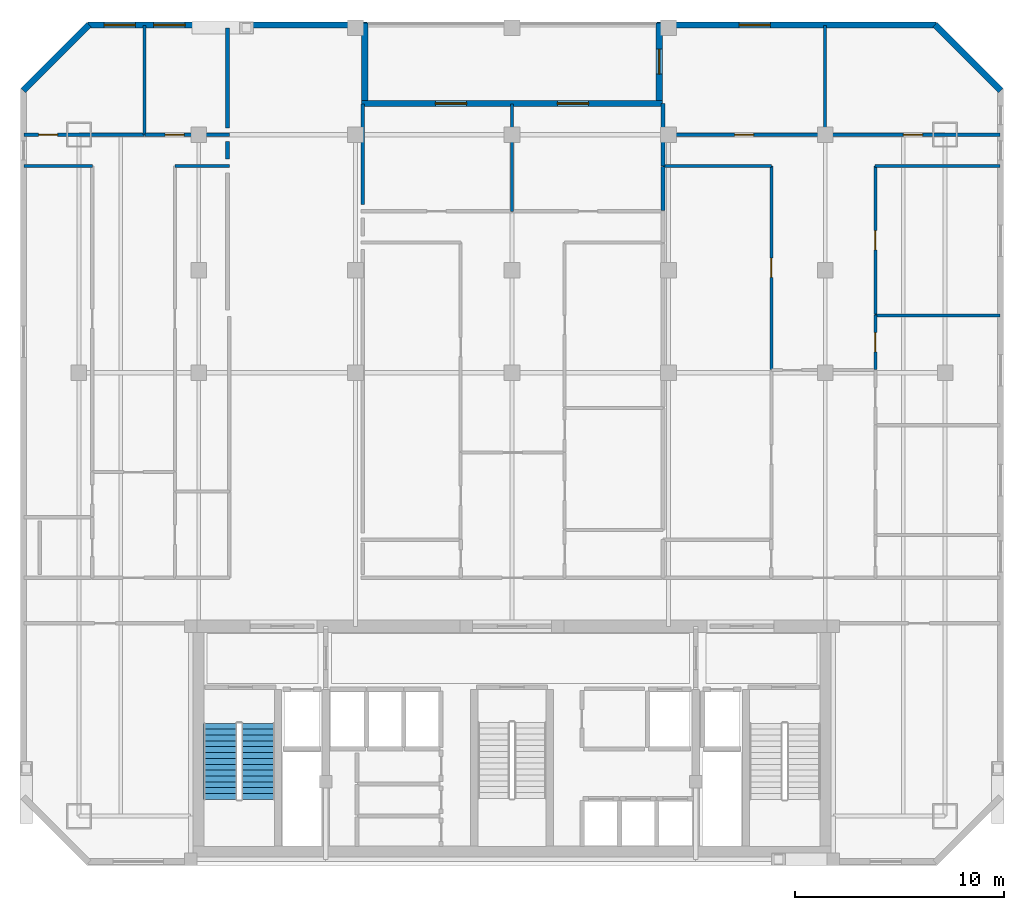
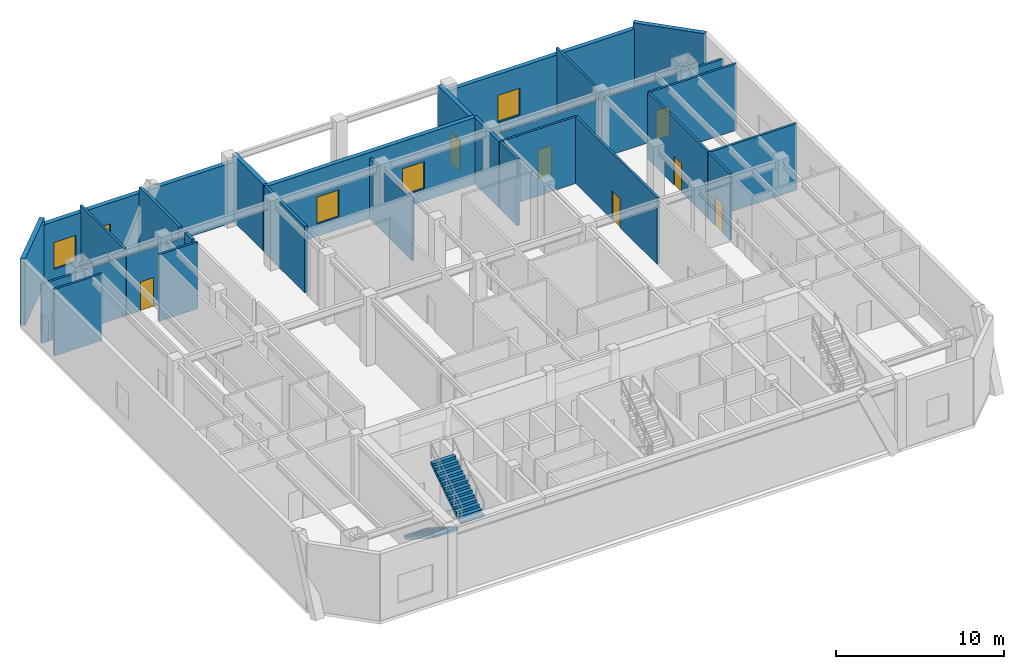
# One storey, part 6 of 8: 27 walls, 8 doors, 5 windows, 2 stair flights, 13 openings, 1 element without a shape of its own.
"""IFC4 building model written with IfcOpenShell, lengths in metres."""

import ifcopenshell
import ifcopenshell.guid

model = None  # the IFC model being written
_history = None  # IfcOwnerHistory: only IFC2X3 demands one
_inside = {}  # id of a spatial element -> (the spatial element, [elements in it])
_under = {}  # id of a project, library or spatial element -> (it, [spatial elements below it])
_declared = {}  # id of a project -> (the project, [libraries it declares])
_typed = {}  # id of a type object -> (the type object, [elements of that type])
_made_of = {}  # id of a material, layer set ... -> (it, [elements and type objects made of it])


def new_model(schema):
    """Start an empty IFC model of exactly this schema.

    Asked for "IFC4X3", IfcOpenShell would pick the latest addendum, in which some entities
    have other attributes; the version numbers below select the first issue.
    IFC2X3 requires an IfcOwnerHistory on every rooted entity: one is made here for all.
    """
    global model, _history
    if schema == "IFC4X3":
        model = ifcopenshell.file(schema_version=(4, 3, 0, 0))
    else:
        model = ifcopenshell.file(schema=schema)
    _inside.clear()
    _under.clear()
    _declared.clear()
    _typed.clear()
    _made_of.clear()
    _history = None
    if model.schema == "IFC2X3":
        org = make("IfcOrganization", Name="unknown")
        user = make(
            "IfcPersonAndOrganization",
            ThePerson=make("IfcPerson", FamilyName="unknown"),
            TheOrganization=org,
        )
        app = make(
            "IfcApplication",
            ApplicationDeveloper=org,
            Version="unknown",
            ApplicationFullName="unknown",
            ApplicationIdentifier="unknown",
        )
        _history = make(
            "IfcOwnerHistory",
            OwningUser=user,
            OwningApplication=app,
            ChangeAction="ADDED",
            CreationDate=0,
        )
    return model


def make(cls, **values):
    """One entity of the class cls with the attributes given. An attribute that is None is left unset."""
    return model.create_entity(
        cls, **{name: value for name, value in values.items() if value is not None}
    )


def rooted(cls, **values):
    """An entity with a GlobalId (a new one), such as an element, a storey or a relation."""
    return make(cls, GlobalId=ifcopenshell.guid.new(), OwnerHistory=_history, **values)


def si_unit(unit_type, name, prefix=None):
    """IfcSIUnit, for example si_unit("LENGTHUNIT", "METRE", prefix="MILLI")."""
    return make("IfcSIUnit", UnitType=unit_type, Prefix=prefix, Name=name)


def assignment(units):
    """IfcUnitAssignment: the units of a project."""
    return None if units is None else make("IfcUnitAssignment", Units=units)


def point(xyz):
    """IfcCartesianPoint."""
    return None if xyz is None else make("IfcCartesianPoint", Coordinates=xyz)


def direction(xyz):
    """IfcDirection."""
    return None if xyz is None else make("IfcDirection", DirectionRatios=xyz)


def frame(location, z_axis=None, x_axis=None):
    """IfcAxis2Placement3D, a coordinate frame: its origin and axes. An axis left out is left unset."""
    return make(
        "IfcAxis2Placement3D",
        Location=point(location),
        Axis=direction(z_axis),
        RefDirection=direction(x_axis),
    )


def frame_2d(location, x_axis=None):
    """IfcAxis2Placement2D, a coordinate frame in the plane: its origin and x axis."""
    return make(
        "IfcAxis2Placement2D", Location=point(location), RefDirection=direction(x_axis)
    )


def origin():
    """The frame at (0, 0, 0) with its axes left unset."""
    return frame((0.0, 0.0, 0.0))


def place(relative_to, where):
    """IfcLocalPlacement: puts the frame where relative to a parent placement (None: the world)."""
    return make(
        "IfcLocalPlacement", PlacementRelTo=relative_to, RelativePlacement=where
    )


def context(
    kind, dimensions, precision=None, world=None, true_north=None, identifier=None
):
    """IfcGeometricRepresentationContext, for example the 3D "Model" context."""
    return make(
        "IfcGeometricRepresentationContext",
        ContextIdentifier=identifier,
        ContextType=kind,
        CoordinateSpaceDimension=dimensions,
        Precision=precision,
        WorldCoordinateSystem=world,
        TrueNorth=true_north,
    )


def subcontext(parent, identifier, kind, view, scale=None):
    """IfcGeometricRepresentationSubContext, for example "Body" below "Model"."""
    return make(
        "IfcGeometricRepresentationSubContext",
        ContextIdentifier=identifier,
        ContextType=kind,
        ParentContext=parent,
        TargetScale=scale,
        TargetView=view,
    )


def project(units=None, contexts=None):
    """IfcProject with its units and contexts."""
    return rooted(
        "IfcProject",
        Name="project",
        RepresentationContexts=contexts,
        UnitsInContext=assignment(units),
    )


def spatial(cls, under=None, at=None, **own):
    """A site, building, storey or space (cls), placed at a placement, below another one or the project."""
    s = rooted(cls, ObjectPlacement=at, **own)
    if under is not None:
        _under.setdefault(under.id(), (under, []))[1].append(s)
    return s


def polyline(points):
    """IfcPolyline through the points."""
    return make("IfcPolyline", Points=[point(p) for p in points])


def profile(cls, at=None, kind="AREA", **sizes):
    """A parametric profile (cls). Its sizes go by their IFC names, for example OverallWidth=200.0."""
    return make(cls, ProfileType=kind, Position=at, **sizes)


def rectangle(**sizes):
    """IfcRectangleProfileDef."""
    return profile("IfcRectangleProfileDef", **sizes)


def outline(outer, holes=None, kind="AREA"):
    """IfcArbitraryClosedProfileDef: a profile drawn as a closed curve; with holes, ...WithVoids."""
    if holes is None:
        return make("IfcArbitraryClosedProfileDef", ProfileType=kind, OuterCurve=outer)
    return make(
        "IfcArbitraryProfileDefWithVoids",
        ProfileType=kind,
        OuterCurve=outer,
        InnerCurves=holes,
    )


def extrude(swept, where, along, depth):
    """IfcExtrudedAreaSolid: the profile swept, set in the frame where, extruded along a direction by depth."""
    return make(
        "IfcExtrudedAreaSolid",
        SweptArea=swept,
        Position=where,
        ExtrudedDirection=direction(along),
        Depth=depth,
    )


def shape(context_of_items, identifier, shape_type, items):
    """IfcShapeRepresentation: the items that make up one representation, for example the "Body"."""
    return make(
        "IfcShapeRepresentation",
        ContextOfItems=context_of_items,
        RepresentationIdentifier=identifier,
        RepresentationType=shape_type,
        Items=items,
    )


def material(Name=None, Category=None):
    """IfcMaterial."""
    return make("IfcMaterial", Name=Name, Category=Category)


def layer(
    of_material, thickness, ventilated=None, Name=None, Category=None, Priority=None
):
    """IfcMaterialLayer: one layer of a wall or slab, of a material (None: an air gap)."""
    return make(
        "IfcMaterialLayer",
        Material=of_material,
        LayerThickness=thickness,
        IsVentilated=ventilated,
        Name=Name,
        Category=Category,
        Priority=Priority,
    )


def layer_set(layers, Name=None):
    """IfcMaterialLayerSet."""
    return make("IfcMaterialLayerSet", MaterialLayers=layers, LayerSetName=Name)


def made_of(thing, what):
    """Note that an element or type object is made of a material, layer set ...; save() writes the relation."""
    if what is not None:
        _made_of.setdefault(what.id(), (what, []))[1].append(thing)
    return thing


def type_object(cls, material=None, **own):
    """A type object (cls), such as IfcWallType, which elements share."""
    return made_of(rooted(cls, **own), material)


def element(
    cls,
    number,
    at=None,
    inside=None,
    cuts=None,
    type_object=None,
    material=None,
    context=None,
    identifier="Body",
    shape_type=None,
    held_by="IfcProductDefinitionShape",
    body=None,
    shapes=None,
    **own,
):
    """One element of the class cls, such as IfcWall. Its Tag is "e" and its number.

    at: its placement. inside: the storey or other place that contains it. cuts: it is an
    opening in that element (IfcRelVoidsElement). A single representation is given by context,
    identifier, shape_type and body (its items); several are given by shapes. held_by: the class
    of the entity that holds the representations. save() writes the other relations.
    """
    e = rooted(cls, Tag="e%d" % number, ObjectPlacement=at, **own)
    if body is not None:
        shapes = [shape(context, identifier, shape_type, body)]
    if shapes is not None:
        e.Representation = make(held_by, Representations=shapes)
    if inside is not None:
        _inside.setdefault(inside.id(), (inside, []))[1].append(e)
    if cuts is not None:
        rooted(
            "IfcRelVoidsElement", RelatingBuildingElement=cuts, RelatedOpeningElement=e
        )
    if type_object is not None:
        _typed.setdefault(type_object.id(), (type_object, []))[1].append(e)
    return made_of(e, material)


def fill(opening, filler):
    """IfcRelFillsElement: the door or window that sits in an opening."""
    return rooted(
        "IfcRelFillsElement",
        RelatingOpeningElement=opening,
        RelatedBuildingElement=filler,
    )


def aggregate(whole, parts):
    """IfcRelAggregates: a whole, such as a stair, and the parts it consists of."""
    return rooted("IfcRelAggregates", RelatingObject=whole, RelatedObjects=parts)


def save(model, path):
    """Write the relations noted so far, then the file.

    IfcRelAggregates (storeys below a building ...), IfcRelContainedInSpatialStructure (elements
    in a storey), IfcRelDefinesByType, IfcRelAssociatesMaterial and IfcRelDeclares: one each for
    every whole, place, type object, material and project.
    """
    for whole, parts in _under.values():
        aggregate(whole, parts)
    for where, things in _inside.values():
        rooted(
            "IfcRelContainedInSpatialStructure",
            RelatedElements=things,
            RelatingStructure=where,
        )
    for kind, things in _typed.values():
        rooted("IfcRelDefinesByType", RelatedObjects=things, RelatingType=kind)
    for what, things in _made_of.values():
        rooted("IfcRelAssociatesMaterial", RelatedObjects=things, RelatingMaterial=what)
    for by, libraries in _declared.values():
        rooted("IfcRelDeclares", RelatingContext=by, RelatedDefinitions=libraries)
    model.write(path)


model = new_model("IFC4")

# Units and contexts
model_context = context("Model", 3, precision=1e-05, world=origin(), true_north=direction((0.0, 1.0)))
body_context = subcontext(model_context, "Body", "Model", "MODEL_VIEW")
ifc_project = project(units=[si_unit("LENGTHUNIT", "METRE"), si_unit("AREAUNIT", "SQUARE_METRE"), si_unit("VOLUMEUNIT", "CUBIC_METRE"), si_unit("PLANEANGLEUNIT", "RADIAN"), si_unit("MASSUNIT", "GRAM", prefix="KILO")], contexts=[model_context])

# Site, building, storey
site_placement = place(None, origin())
site = spatial("IfcSite", under=ifc_project, at=site_placement, CompositionType="ELEMENT")
building_placement = place(site_placement, origin())
building = spatial("IfcBuilding", under=site, at=building_placement, Name="Ventersveld Concourse Tower", CompositionType="ELEMENT")
storey_placement = place(building_placement, frame((0.0, 0.0, 187.550048828125)))
storey = spatial("IfcBuildingStorey", under=building, at=storey_placement, Name="L46", CompositionType="ELEMENT", Elevation=187.550048828125)

# Walls
ifc_material_1 = material(Name="Fire-rated autoclaved aerated masonry blockwork", Category="masonry")
ifc_layer_1 = layer(ifc_material_1, 0.179931640625)
ifc_layer_set_1 = layer_set([ifc_layer_1], Name="Fire-rated autoclaved aerated masonry blockwork")
wall_type_1 = type_object("IfcWallType", Name="WL-CORR-180", PredefinedType="PARTITIONING", material=ifc_layer_set_1)
wall_1_placement = place(storey_placement, frame((15.1201171875, 34.675048828125, 0.0), z_axis=(0.0, 0.0, 1.0), x_axis=(0.0, -1.0, 0.0)))
element("IfcWall", 1, at=wall_1_placement, inside=storey, type_object=wall_type_1, Name="L46 Room Enclosure Wall SP-L46-46NW-LIV", PredefinedType="PARTITIONING", context=body_context, shape_type="SweptSolid", body=[
    extrude(rectangle(XDim=0.85009765625, YDim=0.179931640625, at=frame_2d((0.425048828125, 0.0))), origin(), (0.0, 0.0, 1.0), 4.829833984375),
])
wall_2_placement = place(storey_placement, frame((15.1201171875, 40.10205078125, 0.0), z_axis=(0.0, 0.0, 1.0), x_axis=(0.0, -1.0, 0.0)))
element("IfcWall", 2, at=wall_2_placement, inside=storey, type_object=wall_type_1, Name="L46 Room Enclosure Wall SP-L46-46NW-BR2", PredefinedType="PARTITIONING", context=body_context, shape_type="SweptSolid", body=[
    extrude(rectangle(XDim=4.777099609375, YDim=0.179931640625, at=frame_2d((2.388671875, 0.0))), origin(), (0.0, 0.0, 1.0), 4.829833984375),
])
wall_3_placement = place(storey_placement, frame((21.60009765625, 31.655029296875, 0.0), z_axis=(0.0, 0.0, 1.0), x_axis=(0.0, 1.0, 0.0)))
element("IfcWall", 3, at=wall_3_placement, inside=storey, type_object=wall_type_1, Name="L46 Room Enclosure Wall SP-L46-46CM-BR1", PredefinedType="PARTITIONING", context=body_context, shape_type="SweptSolid", body=[
    extrude(rectangle(XDim=4.822509765625, YDim=0.179931640625, at=frame_2d((2.4111328125, 0.0))), origin(), (0.0, 0.0, 1.0), 4.829833984375),
])
ifc_layer_2 = layer(ifc_material_1, 0.199951171875)
ifc_layer_set_2 = layer_set([ifc_layer_2], Name="Fire-rated autoclaved aerated masonry blockwork")
wall_type_2 = type_object("IfcWallType", Name="WL-DEMISE-200", PredefinedType="PARTITIONING", material=ifc_layer_set_2)
wall_4_placement = place(storey_placement, frame((35.989990234375, 33.4951171875, 0.0), z_axis=(0.0, 0.0, 1.0), x_axis=(0.0, 1.0, 0.0)))
element("IfcWall", 4, at=wall_4_placement, inside=storey, type_object=wall_type_2, Name="L46 Interior Partition SP-L46-46CE-LIV-SP-L46-46CM-BR2", PredefinedType="PARTITIONING", context=body_context, shape_type="SweptSolid", body=[
    extrude(rectangle(XDim=2.988037109375, YDim=0.199951171875, at=frame_2d((1.494140625, 0.0))), origin(), (0.0, 0.0, 1.0), 4.829833984375),
])
wall_5_placement = place(storey_placement, frame((35.989990234375, 31.364990234375, 0.0), z_axis=(0.0, 0.0, 1.0), x_axis=(0.0, 1.0, 0.0)))
element("IfcWall", 5, at=wall_5_placement, inside=storey, type_object=wall_type_2, Name="L46 Interior Partition SP-L46-46CE-OFFL0-SP-L46-46CM-BR2", PredefinedType="PARTITIONING", context=body_context, shape_type="SweptSolid", body=[
    extrude(rectangle(XDim=2.10009765625, YDim=0.199951171875, at=frame_2d((1.050048828125, 0.0))), origin(), (0.0, 0.0, 1.0), 4.829833984375),
])
ifc_material_2 = material(Name="Autoclaved aerated masonry blockwork", Category="masonry")
ifc_layer_3 = layer(ifc_material_2, 0.14990234375)
ifc_layer_set_3 = layer_set([ifc_layer_3], Name="Autoclaved aerated masonry blockwork")
wall_type_3 = type_object("IfcWallType", Name="WL-INT-150", PredefinedType="PARTITIONING", material=ifc_layer_set_3)
wall_6_placement = place(storey_placement, frame((5.37255859375, 33.5, 0.0), z_axis=(0.0, 0.0, 1.0), x_axis=(1.0, 0.0, 0.0)))
element("IfcWall", 6, at=wall_6_placement, inside=storey, type_object=wall_type_3, Name="L46 Interior Partition SP-L46-46NW-LIV-SP-L46-46NW-OFFL0", PredefinedType="PARTITIONING", context=body_context, shape_type="SweptSolid", body=[
    extrude(rectangle(XDim=3.2724609375, YDim=0.14990234375, at=frame_2d((1.63623046875, 0.0))), origin(), (0.0, 0.0, 1.0), 4.829833984375),
])
wall_7_placement = place(storey_placement, frame((12.594970703125, 33.5, 0.0), z_axis=(0.0, 0.0, 1.0), x_axis=(1.0, 0.0, 0.0)))
element("IfcWall", 7, at=wall_7_placement, inside=storey, type_object=wall_type_3, Name="L46 Interior Partition SP-L46-46NW-LIV-SP-L46-46NW-MEDR1", PredefinedType="PARTITIONING", context=body_context, shape_type="SweptSolid", body=[
    extrude(rectangle(XDim=2.6201171875, YDim=0.14990234375, at=frame_2d((1.31005859375, 0.0))), origin(), (0.0, 0.0, 1.0), 4.829833984375),
])

# Wall, opening, door
wall_8_placement = place(storey_placement, frame((5.37255859375, 35.0, 0.0), z_axis=(0.0, 0.0, 1.0), x_axis=(1.0, 0.0, 0.0)))
wall_8 = element("IfcWall", 8, at=wall_8_placement, inside=storey, type_object=wall_type_3, Name="L46 Interior Partition SP-L46-46NW-LIV-SP-L46-46NW-BR1", PredefinedType="PARTITIONING", context=body_context, shape_type="SweptSolid", body=[
    extrude(rectangle(XDim=5.771240234375, YDim=0.14990234375, at=frame_2d((2.8857421875, 0.0))), origin(), (0.0, 0.0, 1.0), 4.285400390625),
])
opening_1_placement = place(wall_8_placement, frame((0.6943359375, 0.0, 0.0)))
opening_1 = element("IfcOpeningElement", 9, at=opening_1_placement, cuts=wall_8, Name="Opening ID1", PredefinedType="OPENING", context=body_context, shape_type="SweptSolid", body=[
    extrude(rectangle(XDim=0.919921875, YDim=2.10009765625, at=frame_2d((0.4599609375, 1.050048828125))), frame((0.0, 0.0849609375, 0.0), z_axis=(0.0, -1.0, 0.0), x_axis=(1.0, 0.0, 0.0)), (0.0, 0.0, 1.0), 0.169921875),
])
ifc_material_3 = material(Name="Solid-core hardwood veneer timber", Category="wood")
door_type_1 = type_object("IfcDoorType", Name="DR-ROOM-092", OperationType="NOTDEFINED", PredefinedType="DOOR", material=ifc_material_3)
door_1_placement = place(opening_1_placement, origin())
door_1 = element("IfcDoor", 10, at=door_1_placement, inside=storey, type_object=door_type_1, Name="L46 Interior Door SP-L46-46NW-LIV to SP-L46-46NW-BR1 (D-L46-2264)", OperationType="SINGLE_SWING_RIGHT", OverallHeight=2.10009765625, OverallWidth=0.919921875, PredefinedType="DOOR", context=body_context, shape_type="SweptSolid", body=[
    extrude(rectangle(XDim=0.919921875, YDim=2.10009765625, at=frame_2d((0.4599609375, 1.050048828125))), frame((0.0, 0.02490234375, 0.0), z_axis=(0.0, -1.0, 0.0), x_axis=(1.0, 0.0, 0.0)), (0.0, 0.0, 1.0), 0.050048828125),
])
fill(opening_1, door_1)

wall_9_placement = place(storey_placement, frame((11.173828125, 35.0, 0.0), z_axis=(0.0, 0.0, 1.0), x_axis=(1.0, 0.0, 0.0)))
wall_9 = element("IfcWall", 11, at=wall_9_placement, inside=storey, type_object=wall_type_3, Name="L46 Interior Partition SP-L46-46NW-LIV-SP-L46-46NW-BR2", PredefinedType="PARTITIONING", context=body_context, shape_type="SweptSolid", body=[
    extrude(rectangle(XDim=4.041259765625, YDim=0.14990234375, at=frame_2d((2.0205078125, 0.0))), origin(), (0.0, 0.0, 1.0), 4.285400390625),
])
opening_2_placement = place(wall_9_placement, frame((0.954345703125, 0.0, 0.0)))
opening_2 = element("IfcOpeningElement", 12, at=opening_2_placement, cuts=wall_9, Name="Opening ID1", PredefinedType="OPENING", context=body_context, shape_type="SweptSolid", body=[
    extrude(rectangle(XDim=0.919921875, YDim=2.10009765625, at=frame_2d((0.4599609375, 1.050048828125))), frame((0.0, 0.0849609375, 0.0), z_axis=(0.0, -1.0, 0.0), x_axis=(1.0, 0.0, 0.0)), (0.0, 0.0, 1.0), 0.169921875),
])
door_2_placement = place(opening_2_placement, origin())
door_2 = element("IfcDoor", 13, at=door_2_placement, inside=storey, type_object=door_type_1, Name="L46 Interior Door SP-L46-46NW-LIV to SP-L46-46NW-BR2 (D-L46-2265)", OperationType="SINGLE_SWING_LEFT", OverallHeight=2.10009765625, OverallWidth=0.919921875, PredefinedType="DOOR", context=body_context, shape_type="SweptSolid", body=[
    extrude(rectangle(XDim=0.919921875, YDim=2.10009765625, at=frame_2d((0.4599609375, 1.050048828125))), frame((0.0, 0.02490234375, 0.0), z_axis=(0.0, -1.0, 0.0), x_axis=(1.0, 0.0, 0.0)), (0.0, 0.0, 1.0), 0.050048828125),
])
fill(opening_2, door_2)

# Wall
wall_10_placement = place(storey_placement, frame((11.138916015625, 34.9951171875, 0.0), z_axis=(0.0, 0.0, 1.0), x_axis=(0.0, 1.0, 0.0)))
element("IfcWall", 14, at=wall_10_placement, inside=storey, type_object=wall_type_3, Name="L46 Interior Partition SP-L46-46NW-BR1-SP-L46-46NW-BR2", PredefinedType="PARTITIONING", context=body_context, shape_type="SweptSolid", body=[
    extrude(rectangle(XDim=5.232421875, YDim=0.14990234375, at=frame_2d((2.6162109375, 0.0))), origin(), (0.0, 0.0, 1.0), 4.829833984375),
])

# Wall, opening, door
wall_11_placement = place(storey_placement, frame((41.176513671875, 23.755859375, 0.0), z_axis=(0.0, 0.0, 1.0), x_axis=(0.0, 1.0, 0.0)))
wall_11 = element("IfcWall", 15, at=wall_11_placement, inside=storey, type_object=wall_type_3, Name="L46 Interior Partition SP-L46-46CE-LIV-SP-L46-46CE-OFFL0", PredefinedType="PARTITIONING", context=body_context, shape_type="SweptSolid", body=[
    extrude(rectangle(XDim=9.7490234375, YDim=0.14990234375, at=frame_2d((4.87451171875, 0.0))), origin(), (0.0, 0.0, 1.0), 4.829833984375),
])
opening_3_placement = place(wall_11_placement, frame((4.41455078125, 0.0, 0.0)))
opening_3 = element("IfcOpeningElement", 16, at=opening_3_placement, cuts=wall_11, Name="Opening ID1", PredefinedType="OPENING", context=body_context, shape_type="SweptSolid", body=[
    extrude(rectangle(XDim=0.919921875, YDim=2.10009765625, at=frame_2d((0.4599609375, 1.050048828125))), frame((0.0, 0.0849609375, 0.0), z_axis=(0.0, -1.0, 0.0), x_axis=(1.0, 0.0, 0.0)), (0.0, 0.0, 1.0), 0.169921875),
])
door_3_placement = place(opening_3_placement, origin())
door_3 = element("IfcDoor", 17, at=door_3_placement, inside=storey, type_object=door_type_1, Name="L46 Interior Door SP-L46-46CE-LIV to SP-L46-46CE-OFFL0 (D-L46-2272)", OperationType="SINGLE_SWING_RIGHT", OverallHeight=2.10009765625, OverallWidth=0.919921875, PredefinedType="DOOR", context=body_context, shape_type="SweptSolid", body=[
    extrude(rectangle(XDim=0.919921875, YDim=2.10009765625, at=frame_2d((0.4599609375, 1.050048828125))), frame((0.0, 0.02490234375, 0.0), z_axis=(0.0, -1.0, 0.0), x_axis=(1.0, 0.0, 0.0)), (0.0, 0.0, 1.0), 0.050048828125),
])
fill(opening_3, door_3)

# Wall
wall_12_placement = place(storey_placement, frame((35.985107421875, 33.5, 0.0), z_axis=(0.0, 0.0, 1.0), x_axis=(1.0, 0.0, 0.0)))
element("IfcWall", 18, at=wall_12_placement, inside=storey, type_object=wall_type_3, Name="L46 Interior Partition SP-L46-46CE-LIV-SP-L46-46CE-OFFL0", PredefinedType="PARTITIONING", context=body_context, shape_type="SweptSolid", body=[
    extrude(rectangle(XDim=5.1962890625, YDim=0.14990234375, at=frame_2d((2.59814453125, 0.0))), origin(), (0.0, 0.0, 1.0), 4.829833984375),
])

# Wall, opening, door
wall_13_placement = place(storey_placement, frame((46.156494140625, 23.755859375, 0.0), z_axis=(0.0, 0.0, 1.0), x_axis=(0.0, 1.0, 0.0)))
wall_13 = element("IfcWall", 19, at=wall_13_placement, inside=storey, type_object=wall_type_3, Name="L46 Interior Partition SP-L46-46CE-LIV-SP-L46-46CE-DENS", PredefinedType="PARTITIONING", context=body_context, shape_type="SweptSolid", body=[
    extrude(rectangle(XDim=2.596435546875, YDim=0.14990234375, at=frame_2d((1.29833984375, 0.0))), origin(), (0.0, 0.0, 1.0), 4.829833984375),
])
opening_4_placement = place(wall_13_placement, frame((0.83837890625, 0.0, 0.0)))
opening_4 = element("IfcOpeningElement", 20, at=opening_4_placement, cuts=wall_13, Name="Opening ID1", PredefinedType="OPENING", context=body_context, shape_type="SweptSolid", body=[
    extrude(rectangle(XDim=0.919921875, YDim=2.10009765625, at=frame_2d((0.4599609375, 1.050048828125))), frame((0.0, 0.0849609375, 0.0), z_axis=(0.0, -1.0, 0.0), x_axis=(1.0, 0.0, 0.0)), (0.0, 0.0, 1.0), 0.169921875),
])
door_4_placement = place(opening_4_placement, origin())
door_4 = element("IfcDoor", 21, at=door_4_placement, inside=storey, type_object=door_type_1, Name="L46 Interior Door SP-L46-46CE-LIV to SP-L46-46CE-DENS (D-L46-2273)", OperationType="SINGLE_SWING_LEFT", OverallHeight=2.10009765625, OverallWidth=0.919921875, PredefinedType="DOOR", context=body_context, shape_type="SweptSolid", body=[
    extrude(rectangle(XDim=0.919921875, YDim=2.10009765625, at=frame_2d((0.4599609375, 1.050048828125))), frame((0.0, 0.02490234375, 0.0), z_axis=(0.0, -1.0, 0.0), x_axis=(1.0, 0.0, 0.0)), (0.0, 0.0, 1.0), 0.050048828125),
])
fill(opening_4, door_4)

wall_14_placement = place(storey_placement, frame((46.156494140625, 26.38232421875, 0.0), z_axis=(0.0, 0.0, 1.0), x_axis=(0.0, 1.0, 0.0)))
wall_14 = element("IfcWall", 22, at=wall_14_placement, inside=storey, type_object=wall_type_3, Name="L46 Interior Partition SP-L46-46CE-LIV-SP-L46-46CE-DENS2", PredefinedType="PARTITIONING", context=body_context, shape_type="SweptSolid", body=[
    extrude(rectangle(XDim=7.12255859375, YDim=0.14990234375, at=frame_2d((3.561279296875, 0.0))), origin(), (0.0, 0.0, 1.0), 4.829833984375),
])
opening_5_placement = place(wall_14_placement, frame((3.101318359375, 0.0, 0.0)))
opening_5 = element("IfcOpeningElement", 23, at=opening_5_placement, cuts=wall_14, Name="Opening ID1", PredefinedType="OPENING", context=body_context, shape_type="SweptSolid", body=[
    extrude(rectangle(XDim=0.919921875, YDim=2.10009765625, at=frame_2d((0.4599609375, 1.050048828125))), frame((0.0, 0.0849609375, 0.0), z_axis=(0.0, -1.0, 0.0), x_axis=(1.0, 0.0, 0.0)), (0.0, 0.0, 1.0), 0.169921875),
])
door_5_placement = place(opening_5_placement, origin())
door_5 = element("IfcDoor", 24, at=door_5_placement, inside=storey, type_object=door_type_1, Name="L46 Interior Door SP-L46-46CE-LIV to SP-L46-46CE-DENS2 (D-L46-2274)", OperationType="SINGLE_SWING_RIGHT", OverallHeight=2.10009765625, OverallWidth=0.919921875, PredefinedType="DOOR", context=body_context, shape_type="SweptSolid", body=[
    extrude(rectangle(XDim=0.919921875, YDim=2.10009765625, at=frame_2d((0.4599609375, 1.050048828125))), frame((0.0, 0.02490234375, 0.0), z_axis=(0.0, -1.0, 0.0), x_axis=(1.0, 0.0, 0.0)), (0.0, 0.0, 1.0), 0.050048828125),
])
fill(opening_5, door_5)

# Wall
wall_15_placement = place(storey_placement, frame((46.1513671875, 33.5, 0.0), z_axis=(0.0, 0.0, 1.0), x_axis=(1.0, 0.0, 0.0)))
element("IfcWall", 25, at=wall_15_placement, inside=storey, type_object=wall_type_3, Name="L46 Interior Partition SP-L46-46CE-LIV-SP-L46-46CE-DENS2", PredefinedType="PARTITIONING", context=body_context, shape_type="SweptSolid", body=[
    extrude(rectangle(XDim=5.97607421875, YDim=0.14990234375, at=frame_2d((2.988037109375, 0.0))), origin(), (0.0, 0.0, 1.0), 4.829833984375),
])

# Wall, opening, door
wall_16_placement = place(storey_placement, frame((35.985107421875, 35.0, 0.0), z_axis=(0.0, 0.0, 1.0), x_axis=(1.0, 0.0, 0.0)))
wall_16 = element("IfcWall", 26, at=wall_16_placement, inside=storey, type_object=wall_type_3, Name="L46 Interior Partition SP-L46-46CE-LIV-SP-L46-46CE-BR1", PredefinedType="PARTITIONING", context=body_context, shape_type="SweptSolid", body=[
    extrude(rectangle(XDim=7.769775390625, YDim=0.14990234375, at=frame_2d((3.884765625, 0.0))), origin(), (0.0, 0.0, 1.0), 4.285400390625),
])
opening_6_placement = place(wall_16_placement, frame((3.425048828125, 0.0, 0.0)))
opening_6 = element("IfcOpeningElement", 27, at=opening_6_placement, cuts=wall_16, Name="Opening ID1", PredefinedType="OPENING", context=body_context, shape_type="SweptSolid", body=[
    extrude(rectangle(XDim=0.919921875, YDim=2.10009765625, at=frame_2d((0.4599609375, 1.050048828125))), frame((0.0, 0.0849609375, 0.0), z_axis=(0.0, -1.0, 0.0), x_axis=(1.0, 0.0, 0.0)), (0.0, 0.0, 1.0), 0.169921875),
])
door_6_placement = place(opening_6_placement, origin())
door_6 = element("IfcDoor", 28, at=door_6_placement, inside=storey, type_object=door_type_1, Name="L46 Interior Door SP-L46-46CE-LIV to SP-L46-46CE-BR1 (D-L46-2275)", OperationType="SINGLE_SWING_LEFT", OverallHeight=2.10009765625, OverallWidth=0.919921875, PredefinedType="DOOR", context=body_context, shape_type="SweptSolid", body=[
    extrude(rectangle(XDim=0.919921875, YDim=2.10009765625, at=frame_2d((0.4599609375, 1.050048828125))), frame((0.0, 0.02490234375, 0.0), z_axis=(0.0, -1.0, 0.0), x_axis=(1.0, 0.0, 0.0)), (0.0, 0.0, 1.0), 0.050048828125),
])
fill(opening_6, door_6)

wall_17_placement = place(storey_placement, frame((43.784912109375, 35.0, 0.0), z_axis=(0.0, 0.0, 1.0), x_axis=(1.0, 0.0, 0.0)))
wall_17 = element("IfcWall", 29, at=wall_17_placement, inside=storey, type_object=wall_type_3, Name="L46 Interior Partition SP-L46-46CE-LIV-SP-L46-46CE-BR2", PredefinedType="PARTITIONING", context=body_context, shape_type="SweptSolid", body=[
    extrude(rectangle(XDim=8.342529296875, YDim=0.14990234375, at=frame_2d((4.17138671875, 0.0))), origin(), (0.0, 0.0, 1.0), 4.285400390625),
])
opening_7_placement = place(wall_17_placement, frame((3.711181640625, 0.0, 0.0)))
opening_7 = element("IfcOpeningElement", 30, at=opening_7_placement, cuts=wall_17, Name="Opening ID1", PredefinedType="OPENING", context=body_context, shape_type="SweptSolid", body=[
    extrude(rectangle(XDim=0.919921875, YDim=2.10009765625, at=frame_2d((0.4599609375, 1.050048828125))), frame((0.0, 0.0849609375, 0.0), z_axis=(0.0, -1.0, 0.0), x_axis=(1.0, 0.0, 0.0)), (0.0, 0.0, 1.0), 0.169921875),
])
door_7_placement = place(opening_7_placement, origin())
door_7 = element("IfcDoor", 31, at=door_7_placement, inside=storey, type_object=door_type_1, Name="L46 Interior Door SP-L46-46CE-LIV to SP-L46-46CE-BR2 (D-L46-2276)", OperationType="SINGLE_SWING_RIGHT", OverallHeight=2.10009765625, OverallWidth=0.919921875, PredefinedType="DOOR", context=body_context, shape_type="SweptSolid", body=[
    extrude(rectangle(XDim=0.919921875, YDim=2.10009765625, at=frame_2d((0.4599609375, 1.050048828125))), frame((0.0, 0.02490234375, 0.0), z_axis=(0.0, -1.0, 0.0), x_axis=(1.0, 0.0, 0.0)), (0.0, 0.0, 1.0), 0.050048828125),
])
fill(opening_7, door_7)

# Walls
wall_18_placement = place(storey_placement, frame((46.1513671875, 26.347412109375, 0.0), z_axis=(0.0, 0.0, 1.0), x_axis=(1.0, 0.0, 0.0)))
element("IfcWall", 32, at=wall_18_placement, inside=storey, type_object=wall_type_3, Name="L46 Interior Partition SP-L46-46CE-DENS-SP-L46-46CE-DENS2", PredefinedType="PARTITIONING", context=body_context, shape_type="SweptSolid", body=[
    extrude(rectangle(XDim=5.97607421875, YDim=0.14990234375, at=frame_2d((2.988037109375, 0.0))), origin(), (0.0, 0.0, 1.0), 4.829833984375),
])
wall_19_placement = place(storey_placement, frame((43.75, 34.9951171875, 0.0), z_axis=(0.0, 0.0, 1.0), x_axis=(0.0, 1.0, 0.0)))
element("IfcWall", 33, at=wall_19_placement, inside=storey, type_object=wall_type_3, Name="L46 Interior Partition SP-L46-46CE-BR1-SP-L46-46CE-BR2", PredefinedType="PARTITIONING", context=body_context, shape_type="SweptSolid", body=[
    extrude(rectangle(XDim=5.232421875, YDim=0.14990234375, at=frame_2d((2.6162109375, 0.0))), origin(), (0.0, 0.0, 1.0), 4.829833984375),
])
wall_20_placement = place(storey_placement, frame((28.75, 31.324951171875, 0.0), z_axis=(0.0, 0.0, 1.0), x_axis=(0.0, 1.0, 0.0)))
element("IfcWall", 34, at=wall_20_placement, inside=storey, type_object=wall_type_3, Name="L46 Interior Partition SP-L46-46CM-BR1-SP-L46-46CM-BR2", PredefinedType="PARTITIONING", context=body_context, shape_type="SweptSolid", body=[
    extrude(rectangle(XDim=5.152587890625, YDim=0.14990234375, at=frame_2d((2.576171875, 0.0))), origin(), (0.0, 0.0, 1.0), 4.423583984375),
])
ifc_material_4 = material(Name="Precast concrete C45/55", Category="concrete")
ifc_layer_4 = layer(ifc_material_4, 0.300048828125)
ifc_layer_set_4 = layer_set([ifc_layer_4], Name="Precast concrete C45/55")
wall_type_4 = type_object("IfcWallType", Name="WL-PREC-300", PredefinedType="SOLIDWALL", material=ifc_layer_set_4)
wall_21_placement = place(storey_placement, frame((52.16552734375, 37.122314453125, 0.0), z_axis=(0.0, 0.0, 1.0), x_axis=(-0.707106781187, 0.707106781187, 0.0)))
element("IfcWall", 35, at=wall_21_placement, inside=storey, type_object=wall_type_4, Name="L46 Highveld Precast Facade Wall E04", PredefinedType="SOLIDWALL", context=body_context, shape_type="SweptSolid", body=[
    extrude(rectangle(XDim=4.4453125, YDim=0.300048828125, at=frame_2d((2.22265625, 0.0))), origin(), (0.0, 0.0, 1.0), 4.829833984375),
])

# Wall, opening, window
wall_22_placement = place(storey_placement, frame((49.06005859375, 40.25, 0.0), z_axis=(0.0, 0.0, 1.0), x_axis=(-1.0, 0.0, 0.0)))
wall_22 = element("IfcWall", 36, at=wall_22_placement, inside=storey, type_object=wall_type_4, Name="L46 Highveld Precast Facade Wall E05", PredefinedType="SOLIDWALL", context=body_context, shape_type="SweptSolid", body=[
    extrude(rectangle(XDim=13.3701171875, YDim=0.300048828125, at=frame_2d((6.68505859375, 0.0))), origin(), (0.0, 0.0, 1.0), 4.369873046875),
])
opening_8_placement = place(wall_22_placement, frame((7.933837890625, 0.0, 0.89990234375)))
opening_8 = element("IfcOpeningElement", 37, at=opening_8_placement, cuts=wall_22, Name="Opening W1", PredefinedType="OPENING", context=body_context, shape_type="SweptSolid", body=[
    extrude(rectangle(XDim=1.5, YDim=1.949951171875, at=frame_2d((0.75, 0.97509765625))), frame((0.0, 0.16015625, 0.0), z_axis=(0.0, -1.0, 0.0), x_axis=(1.0, 0.0, 0.0)), (0.0, 0.0, 1.0), 0.320068359375),
])
ifc_material_5 = material(Name="Tempered acoustic Low-E IGU", Category="glass")
window_type = type_object("IfcWindowType", Name="WIN-150x210", PartitioningType="SINGLE_PANEL", PredefinedType="WINDOW", material=ifc_material_5)
window_1_placement = place(opening_8_placement, origin())
window_1 = element("IfcWindow", 38, at=window_1_placement, inside=storey, type_object=window_type, Name="L46 Punched Low-E Window W-0647", OverallHeight=1.949951171875, OverallWidth=1.5, PartitioningType="SINGLE_PANEL", PredefinedType="WINDOW", context=body_context, shape_type="SweptSolid", body=[
    extrude(rectangle(XDim=1.5, YDim=1.949951171875, at=frame_2d((0.75, 0.97509765625))), frame((0.0, 0.030029296875, 0.0), z_axis=(0.0, -1.0, 0.0), x_axis=(1.0, 0.0, 0.0)), (0.0, 0.0, 1.0), 0.06005859375),
])
fill(opening_8, window_1)

# Wall, opening, door
wall_23_placement = place(storey_placement, frame((35.800048828125, 40.360107421875, 0.0), z_axis=(0.0, 0.0, 1.0), x_axis=(0.0, -1.0, 0.0)))
wall_23 = element("IfcWall", 39, at=wall_23_placement, inside=storey, type_object=wall_type_4, Name="L46 Highveld Precast Facade Wall E06", PredefinedType="SOLIDWALL", context=body_context, shape_type="SweptSolid", body=[
    extrude(rectangle(XDim=3.710205078125, YDim=0.300048828125, at=frame_2d((1.85498046875, 0.0))), origin(), (0.0, 0.0, 1.0), 4.829833984375),
])
opening_9_placement = place(wall_23_placement, frame((1.2548828125, 0.0, 0.0)))
opening_9 = element("IfcOpeningElement", 40, at=opening_9_placement, cuts=wall_23, Name="Opening TD1", PredefinedType="OPENING", context=body_context, shape_type="SweptSolid", body=[
    extrude(rectangle(XDim=1.199951171875, YDim=2.199951171875, at=frame_2d((0.60009765625, 1.10009765625))), frame((0.0, 0.16015625, 0.0), z_axis=(0.0, -1.0, 0.0), x_axis=(1.0, 0.0, 0.0)), (0.0, 0.0, 1.0), 0.320068359375),
])
ifc_material_6 = material(Name="Anodised aluminium EN AW-6063-T6", Category="aluminium")
door_type_2 = type_object("IfcDoorType", Name="DR-TERR-120", OperationType="NOTDEFINED", PredefinedType="DOOR", material=ifc_material_6)
door_8_placement = place(opening_9_placement, frame((1.199951171875, 0.0, 0.0), z_axis=(0.0, 0.0, 1.0), x_axis=(-1.0, 0.0, 0.0)))
door_8 = element("IfcDoor", 41, at=door_8_placement, inside=storey, type_object=door_type_2, Name="L46 Stepped Valley Terrace Door TD-L46-01", OperationType="SINGLE_SWING_LEFT", OverallHeight=2.199951171875, OverallWidth=1.199951171875, PredefinedType="DOOR", context=body_context, shape_type="SweptSolid", body=[
    extrude(rectangle(XDim=1.199951171875, YDim=2.199951171875, at=frame_2d((0.60009765625, 1.10009765625))), frame((0.0, 0.02490234375, 0.0), z_axis=(0.0, -1.0, 0.0), x_axis=(1.0, 0.0, 0.0)), (0.0, 0.0, 1.0), 0.050048828125),
])
fill(opening_9, door_8)

# Wall, openings, windows
wall_24_placement = place(storey_placement, frame((35.949951171875, 36.5, 0.0), z_axis=(0.0, 0.0, 1.0), x_axis=(-1.0, 0.0, 0.0)))
wall_24 = element("IfcWall", 42, at=wall_24_placement, inside=storey, type_object=wall_type_4, Name="L46 Highveld Precast Facade Wall E07", PredefinedType="SOLIDWALL", context=body_context, shape_type="SweptSolid", body=[
    extrude(rectangle(XDim=14.39990234375, YDim=0.300048828125, at=frame_2d((7.199951171875, 0.0))), origin(), (0.0, 0.0, 1.0), 4.829833984375),
])
opening_10_placement = place(wall_24_placement, frame((9.375732421875, 0.0, 0.89990234375)))
opening_10 = element("IfcOpeningElement", 43, at=opening_10_placement, cuts=wall_24, Name="Opening W1", PredefinedType="OPENING", context=body_context, shape_type="SweptSolid", body=[
    extrude(rectangle(XDim=1.5, YDim=1.949951171875, at=frame_2d((0.75, 0.97509765625))), frame((0.0, 0.16015625, 0.0), z_axis=(0.0, -1.0, 0.0), x_axis=(1.0, 0.0, 0.0)), (0.0, 0.0, 1.0), 0.320068359375),
])
opening_11_placement = place(wall_24_placement, frame((3.5244140625, 0.0, 0.89990234375)))
opening_11 = element("IfcOpeningElement", 44, at=opening_11_placement, cuts=wall_24, Name="Opening W1", PredefinedType="OPENING", context=body_context, shape_type="SweptSolid", body=[
    extrude(rectangle(XDim=1.5, YDim=1.949951171875, at=frame_2d((0.75, 0.97509765625))), frame((0.0, 0.16015625, 0.0), z_axis=(0.0, -1.0, 0.0), x_axis=(1.0, 0.0, 0.0)), (0.0, 0.0, 1.0), 0.320068359375),
])
window_2_placement = place(opening_10_placement, origin())
window_2 = element("IfcWindow", 45, at=window_2_placement, inside=storey, type_object=window_type, Name="L46 Punched Low-E Window W-0649", OverallHeight=1.949951171875, OverallWidth=1.5, PartitioningType="SINGLE_PANEL", PredefinedType="WINDOW", context=body_context, shape_type="SweptSolid", body=[
    extrude(rectangle(XDim=1.5, YDim=1.949951171875, at=frame_2d((0.75, 0.97509765625))), frame((0.0, 0.030029296875, 0.0), z_axis=(0.0, -1.0, 0.0), x_axis=(1.0, 0.0, 0.0)), (0.0, 0.0, 1.0), 0.06005859375),
])
fill(opening_10, window_2)
window_3_placement = place(opening_11_placement, origin())
window_3 = element("IfcWindow", 46, at=window_3_placement, inside=storey, type_object=window_type, Name="L46 Punched Low-E Window W-0650", OverallHeight=1.949951171875, OverallWidth=1.5, PartitioningType="SINGLE_PANEL", PredefinedType="WINDOW", context=body_context, shape_type="SweptSolid", body=[
    extrude(rectangle(XDim=1.5, YDim=1.949951171875, at=frame_2d((0.75, 0.97509765625))), frame((0.0, 0.030029296875, 0.0), z_axis=(0.0, -1.0, 0.0), x_axis=(1.0, 0.0, 0.0)), (0.0, 0.0, 1.0), 0.06005859375),
])
fill(opening_11, window_3)

# Wall
wall_25_placement = place(storey_placement, frame((21.699951171875, 36.64990234375, 0.0), z_axis=(0.0, 0.0, 1.0), x_axis=(0.0, 1.0, 0.0)))
element("IfcWall", 47, at=wall_25_placement, inside=storey, type_object=wall_type_4, Name="L46 Highveld Precast Facade Wall E08", PredefinedType="SOLIDWALL", context=body_context, shape_type="SweptSolid", body=[
    extrude(rectangle(XDim=3.710205078125, YDim=0.300048828125, at=frame_2d((1.85498046875, 0.0))), origin(), (0.0, 0.0, 1.0), 4.829833984375),
])

# Wall, openings, windows
wall_26_placement = place(storey_placement, frame((21.81005859375, 40.25, 0.0), z_axis=(0.0, 0.0, 1.0), x_axis=(-1.0, 0.0, 0.0)))
wall_26 = element("IfcWall", 48, at=wall_26_placement, inside=storey, type_object=wall_type_4, Name="L46 Highveld Precast Facade Wall E09", PredefinedType="SOLIDWALL", context=body_context, shape_type="SweptSolid", body=[
    extrude(rectangle(XDim=13.3701171875, YDim=0.300048828125, at=frame_2d((6.68505859375, 0.0))), origin(), (0.0, 0.0, 1.0), 4.369873046875),
])
opening_12_placement = place(wall_26_placement, frame((11.10009765625, 0.0, 0.89990234375)))
opening_12 = element("IfcOpeningElement", 49, at=opening_12_placement, cuts=wall_26, Name="Opening W1", PredefinedType="OPENING", context=body_context, shape_type="SweptSolid", body=[
    extrude(rectangle(XDim=1.5, YDim=1.949951171875, at=frame_2d((0.75, 0.97509765625))), frame((0.0, 0.16015625, 0.0), z_axis=(0.0, -1.0, 0.0), x_axis=(1.0, 0.0, 0.0)), (0.0, 0.0, 1.0), 0.320068359375),
])
opening_13_placement = place(wall_26_placement, frame((8.72509765625, 0.0, 0.89990234375)))
opening_13 = element("IfcOpeningElement", 50, at=opening_13_placement, cuts=wall_26, Name="Opening W1", PredefinedType="OPENING", context=body_context, shape_type="SweptSolid", body=[
    extrude(rectangle(XDim=1.5, YDim=1.949951171875, at=frame_2d((0.75, 0.97509765625))), frame((0.0, 0.16015625, 0.0), z_axis=(0.0, -1.0, 0.0), x_axis=(1.0, 0.0, 0.0)), (0.0, 0.0, 1.0), 0.320068359375),
])
window_4_placement = place(opening_12_placement, origin())
window_4 = element("IfcWindow", 51, at=window_4_placement, inside=storey, type_object=window_type, Name="L46 Punched Low-E Window W-0640", OverallHeight=1.949951171875, OverallWidth=1.5, PartitioningType="SINGLE_PANEL", PredefinedType="WINDOW", context=body_context, shape_type="SweptSolid", body=[
    extrude(rectangle(XDim=1.5, YDim=1.949951171875, at=frame_2d((0.75, 0.97509765625))), frame((0.0, 0.030029296875, 0.0), z_axis=(0.0, -1.0, 0.0), x_axis=(1.0, 0.0, 0.0)), (0.0, 0.0, 1.0), 0.06005859375),
])
fill(opening_12, window_4)
window_5_placement = place(opening_13_placement, origin())
window_5 = element("IfcWindow", 52, at=window_5_placement, inside=storey, type_object=window_type, Name="L46 Punched Low-E Window W-0641", OverallHeight=1.949951171875, OverallWidth=1.5, PartitioningType="SINGLE_PANEL", PredefinedType="WINDOW", context=body_context, shape_type="SweptSolid", body=[
    extrude(rectangle(XDim=1.5, YDim=1.949951171875, at=frame_2d((0.75, 0.97509765625))), frame((0.0, 0.030029296875, 0.0), z_axis=(0.0, -1.0, 0.0), x_axis=(1.0, 0.0, 0.0)), (0.0, 0.0, 1.0), 0.06005859375),
])
fill(opening_13, window_5)

# Wall
wall_27_placement = place(storey_placement, frame((8.477783203125, 40.265625, 0.0), z_axis=(0.0, 0.0, 1.0), x_axis=(-0.707106781187, -0.707106781187, 0.0)))
element("IfcWall", 53, at=wall_27_placement, inside=storey, type_object=wall_type_4, Name="L46 Highveld Precast Facade Wall E10", PredefinedType="SOLIDWALL", context=body_context, shape_type="SweptSolid", body=[
    extrude(rectangle(XDim=4.4453125, YDim=0.300048828125, at=frame_2d((2.22265625, 0.0))), origin(), (0.0, 0.0, 1.0), 4.829833984375),
])

# Stair, stair flights
ifc_material_7 = material(Name="Concrete C50/60", Category="concrete")
stair_type = type_object("IfcStairType", Name="ST-DOG-160", PredefinedType="HALF_TURN_STAIR", material=ifc_material_7)
stair_placement = place(storey_placement, origin())
stair = element("IfcStair", 54, at=stair_placement, inside=storey, type_object=stair_type, Name="L46 Protected Tower Escape Stair ST-01", PredefinedType="HALF_TURN_STAIR")
stair_flight_type = type_object("IfcStairFlightType", Name="STF-RC-160", PredefinedType="STRAIGHT", material=ifc_material_7)
stair_flight_1_placement = place(storey_placement, frame((14.780029296875, 6.800048828125, 0.0), z_axis=(0.0, 0.0, 1.0), x_axis=(0.0, -1.0, 0.0)))
stair_flight_1 = element("IfcStairFlight", 55, at=stair_flight_1_placement, type_object=stair_flight_type, Name="ST-01 flight 1", NumberOfRisers=14, NumberOfTreads=13, PredefinedType="STRAIGHT", RiserHeight=0.180357143, TreadLength=0.28, context=body_context, shape_type="SweptSolid", body=[
    extrude(outline(polyline([(0.0, 0.0), (0.0, 0.180419921875), (0.280029296875, 0.180419921875), (0.280029296875, 0.360595703125), (0.56005859375, 0.360595703125), (0.56005859375, 0.541015625), (0.840087890625, 0.541015625), (0.840087890625, 0.721435546875), (1.1201171875, 0.721435546875), (1.1201171875, 0.90185546875), (1.39990234375, 0.90185546875), (1.39990234375, 1.08203125), (1.679931640625, 1.08203125), (1.679931640625, 1.262451171875), (1.9599609375, 1.262451171875), (1.9599609375, 1.44287109375), (2.239990234375, 1.44287109375), (2.239990234375, 1.623291015625), (2.52001953125, 1.623291015625), (2.52001953125, 1.803466796875), (2.800048828125, 1.803466796875), (2.800048828125, 1.98388671875), (3.080078125, 1.98388671875), (3.080078125, 2.164306640625), (3.360107421875, 2.164306640625), (3.360107421875, 2.3447265625), (3.639892578125, 2.3447265625), (3.639892578125, 2.52490234375), (3.639892578125, 2.166259765625), (0.27685546875, 0.0), (0.0, 0.0)])), frame((0.0, 0.800048828125, 0.0), z_axis=(0.0, -1.0, 0.0), x_axis=(1.0, 0.0, 0.0)), (0.0, 0.0, 1.0), 1.60009765625),
])
stair_flight_2_placement = place(storey_placement, frame((16.580078125, 3.159912109375, 2.52490234375), z_axis=(0.0, 0.0, 1.0), x_axis=(0.0, 1.0, 0.0)))
stair_flight_2 = element("IfcStairFlight", 56, at=stair_flight_2_placement, type_object=stair_flight_type, Name="ST-01 flight 2", NumberOfRisers=14, NumberOfTreads=13, PredefinedType="STRAIGHT", RiserHeight=0.180357143, TreadLength=0.28, context=body_context, shape_type="SweptSolid", body=[
    extrude(outline(polyline([(0.0, 0.0), (0.0, 0.180419921875), (0.280029296875, 0.180419921875), (0.280029296875, 0.360595703125), (0.56005859375, 0.360595703125), (0.56005859375, 0.541015625), (0.840087890625, 0.541015625), (0.840087890625, 0.721435546875), (1.1201171875, 0.721435546875), (1.1201171875, 0.90185546875), (1.39990234375, 0.90185546875), (1.39990234375, 1.08203125), (1.679931640625, 1.08203125), (1.679931640625, 1.262451171875), (1.9599609375, 1.262451171875), (1.9599609375, 1.44287109375), (2.239990234375, 1.44287109375), (2.239990234375, 1.623291015625), (2.52001953125, 1.623291015625), (2.52001953125, 1.803466796875), (2.800048828125, 1.803466796875), (2.800048828125, 1.98388671875), (3.080078125, 1.98388671875), (3.080078125, 2.164306640625), (3.360107421875, 2.164306640625), (3.360107421875, 2.3447265625), (3.639892578125, 2.3447265625), (3.639892578125, 2.52490234375), (3.639892578125, 2.166259765625), (0.27685546875, 0.0), (0.0, 0.0)])), frame((0.0, 0.800048828125, 0.0), z_axis=(0.0, -1.0, 0.0), x_axis=(1.0, 0.0, 0.0)), (0.0, 0.0, 1.0), 1.60009765625),
])
aggregate(stair, [stair_flight_1, stair_flight_2])

save(model, "model.ifc")
